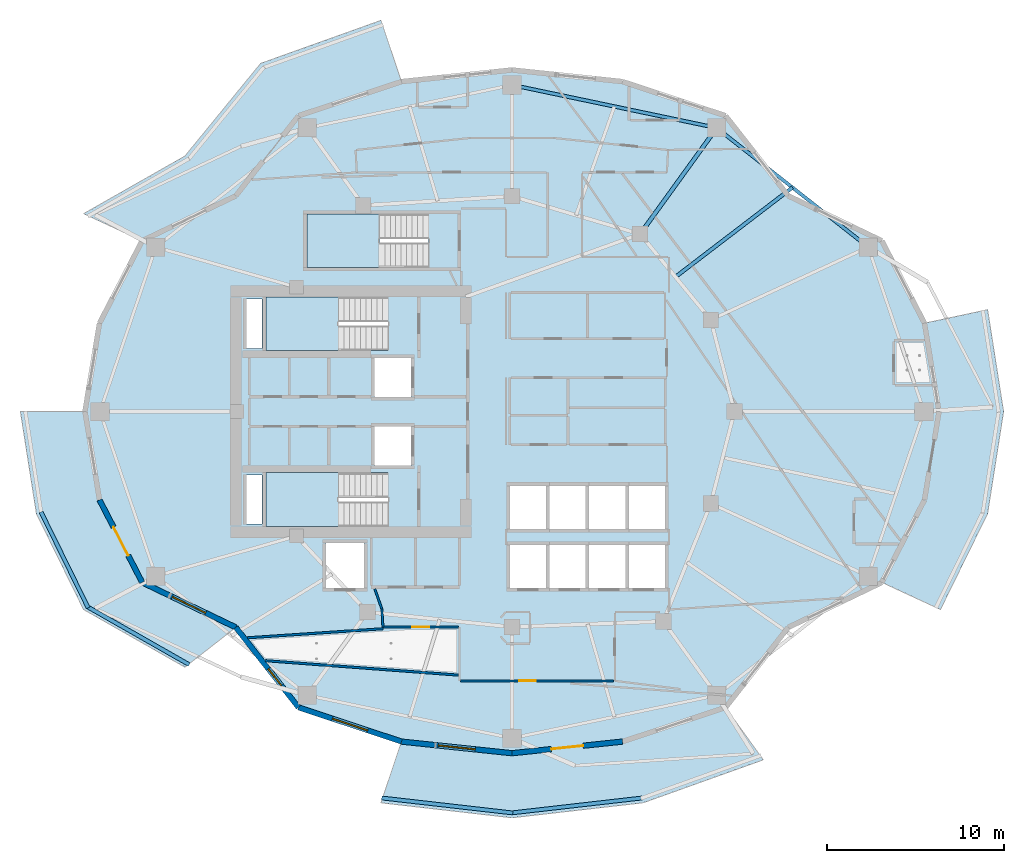
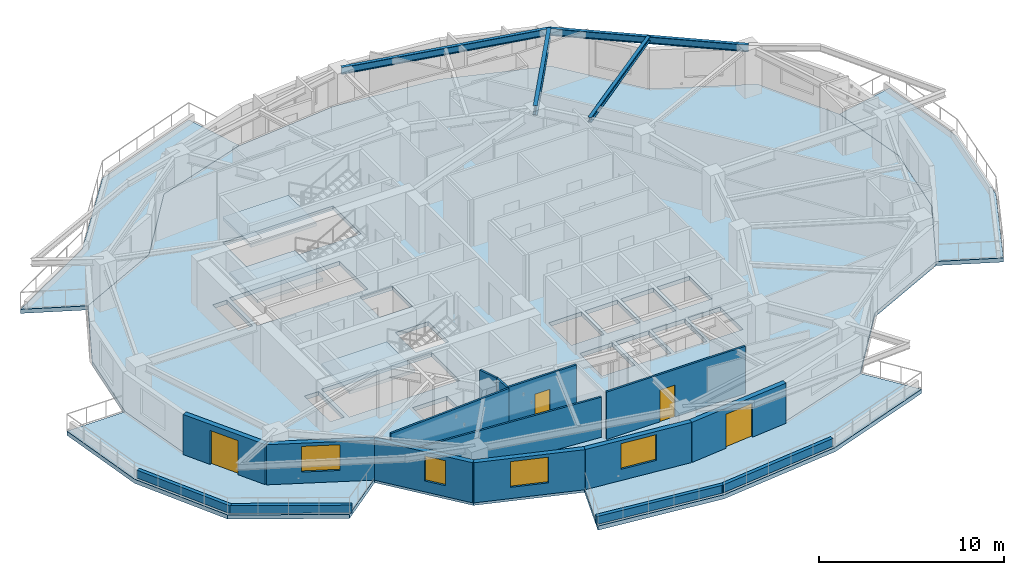
# One storey, part 2 of 17: 16 walls, 8 slabs, 4 beams, 4 doors, 4 windows, 8 openings, 3 elements without a shape of their own.
"""IFC4 building model written with IfcOpenShell, lengths in metres."""

from ifc_helpers import new_model, si_unit, direction, frame, frame_2d, origin, origin_2d, place, context, subcontext, project, spatial, polyline, rectangle, i_section, outline, extrude, material, layer, layer_set, material_profile, profile_set, type_object, element, fill, aggregate, save


model = new_model("IFC4")

# Units and contexts
model_context = context("Model", 3, precision=1e-05, world=origin(), true_north=direction((0.0, 1.0)))
body_context = subcontext(model_context, "Body", "Model", "MODEL_VIEW")
ifc_project = project(units=[si_unit("LENGTHUNIT", "METRE"), si_unit("AREAUNIT", "SQUARE_METRE"), si_unit("VOLUMEUNIT", "CUBIC_METRE"), si_unit("PLANEANGLEUNIT", "RADIAN"), si_unit("MASSUNIT", "GRAM", prefix="KILO")], contexts=[model_context])

# Site, building, storey
site_placement = place(None, origin())
site = spatial("IfcSite", under=ifc_project, at=site_placement, CompositionType="ELEMENT")
building_placement = place(site_placement, origin())
building = spatial("IfcBuilding", under=site, at=building_placement, Name="Kolvaren Gate Tower and Convention Centre", CompositionType="ELEMENT")
storey_placement = place(building_placement, frame((0.0, 0.0, 125.699951171875)))
storey = spatial("IfcBuildingStorey", under=building, at=storey_placement, Name="L31", CompositionType="ELEMENT", Elevation=125.699951171875)

# Beams
ifc_material_1 = material(Name="Structural steel ASTM A992 Grade 345 MPa", Category="steel")
ifc_material_profile_1 = material_profile(ifc_material_1, i_section(OverallWidth=0.22998046875, OverallDepth=0.616943359375, WebThickness=0.01318359375, FlangeThickness=0.022216796875, at=origin_2d()), Name="W610X140")
ifc_profile_set_1 = profile_set([ifc_material_profile_1], Name="Structural steel ASTM A992 Grade 345 MPa")
beam_type_1 = type_object("IfcBeamType", Name="STR-BM-W610X140", PredefinedType="BEAM", material=ifc_profile_set_1)
beam_1_placement = place(storey_placement, frame((37.381591796875, 37.054931640625, 2.821533203125), z_axis=(0.585208050015, 0.810883184064, 0.0), x_axis=(-0.810883184064, 0.585208050015, 0.0)))
element("IfcBeam", 1, at=beam_1_placement, inside=storey, type_object=beam_type_1, Name="Tower L31 Radial Floor Girder RB-03", PredefinedType="BEAM", context=body_context, shape_type="SweptSolid", body=[
    extrude(i_section(OverallWidth=0.22998046875, OverallDepth=0.616943359375, WebThickness=0.01318359375, FlangeThickness=0.022216796875, at=origin_2d()), origin(), (0.0, 0.0, 1.0), 7.416015625),
])
ifc_material_profile_2 = material_profile(ifc_material_1, i_section(OverallWidth=0.205078125, OverallDepth=0.31005859375, WebThickness=0.009521484375, FlangeThickness=0.016357421875, at=origin_2d()), Name="W310X74")
ifc_profile_set_2 = profile_set([ifc_material_profile_2], Name="Structural steel ASTM A992 Grade 345 MPa")
beam_type_2 = type_object("IfcBeamType", Name="STR-JS-W310X74", PredefinedType="JOIST", material=ifc_profile_set_2)
beam_2_placement = place(storey_placement, frame((39.3818359375, 34.627197265625, 2.97509765625), z_axis=(0.79454218325, 0.607208958297, 0.0), x_axis=(-0.607208958297, 0.79454218325, 0.0)))
element("IfcBeam", 2, at=beam_2_placement, inside=storey, type_object=beam_type_2, Name="Tower L31 Secondary Composite Floor Joist J-02.1", PredefinedType="JOIST", context=body_context, shape_type="SweptSolid", body=[
    extrude(i_section(OverallWidth=0.205078125, OverallDepth=0.31005859375, WebThickness=0.009521484375, FlangeThickness=0.016357421875, at=origin_2d()), origin(), (0.0, 0.0, 1.0), 8.34326171875),
])
ifc_material_profile_3 = material_profile(ifc_material_1, i_section(OverallWidth=0.194091796875, OverallDepth=0.468994140625, WebThickness=0.0126953125, FlangeThickness=0.0205078125, at=origin_2d()), Name="W460X106")
ifc_profile_set_3 = profile_set([ifc_material_profile_3], Name="Structural steel ASTM A992 Grade 345 MPa")
beam_type_3 = type_object("IfcBeamType", Name="STR-SP-W460X106", PredefinedType="SPANDREL", material=ifc_profile_set_3)
beam_3_placement = place(storey_placement, frame((50.30029296875, 36.318603515625, 2.8955078125), z_axis=(-0.785907610354, 0.618343939881, 0.0), x_axis=(-0.618343939881, -0.785907610354, 0.0)))
element("IfcBeam", 3, at=beam_3_placement, inside=storey, type_object=beam_type_3, Name="Tower L31 Perimeter Spandrel Beam SP-02", PredefinedType="SPANDREL", context=body_context, shape_type="SweptSolid", body=[
    extrude(i_section(OverallWidth=0.194091796875, OverallDepth=0.468994140625, WebThickness=0.0126953125, FlangeThickness=0.0205078125, at=origin_2d()), origin(), (0.0, 0.0, 1.0), 10.915771484375),
])
beam_4_placement = place(storey_placement, frame((41.721435546875, 43.068359375, 2.8955078125), z_axis=(-0.978714746947, 0.205225349578, 0.0), x_axis=(-0.205225349578, -0.978714746947, 0.0)))
element("IfcBeam", 4, at=beam_4_placement, inside=storey, type_object=beam_type_3, Name="Tower L31 Perimeter Spandrel Beam SP-03", PredefinedType="SPANDREL", context=body_context, shape_type="SweptSolid", body=[
    extrude(i_section(OverallWidth=0.194091796875, OverallDepth=0.468994140625, WebThickness=0.0126953125, FlangeThickness=0.0205078125, at=origin_2d()), origin(), (0.0, 0.0, 1.0), 11.8486328125),
])

# Slabs
ifc_material_2 = material(Name="Concrete C50/60", Category="concrete")
ifc_layer_1 = layer(ifc_material_2, 0.27001953125)
ifc_layer_set_1 = layer_set([ifc_layer_1], Name="Concrete C50/60")
slab_type_1 = type_object("IfcSlabType", Name="STR-SL-BALC-270", PredefinedType="FLOOR", material=ifc_layer_set_1)
slab_1_placement = place(storey_placement, frame((0.0, 0.0, -0.27001953125)))
element("IfcSlab", 5, at=slab_1_placement, inside=storey, type_object=slab_type_1, Name="Tower L31 Planted Balcony Terrace Slab 1 (North)", PredefinedType="FLOOR", context=body_context, shape_type="SweptSolid", body=[
    extrude(outline(polyline([(23.86474609375, 45.690673828125), (18.03125, 43.757568359375), (14.481201171875, 39.222900390625), (9.177978515625, 36.675048828125), (5.855224609375, 38.209716796875), (11.597412109375, 41.476318359375), (15.889404296875, 46.725341796875), (22.702392578125, 49.1611328125), (23.86474609375, 45.690673828125)])), origin(), (0.0, 0.0, 1.0), 0.27001953125),
])
slab_2_placement = place(storey_placement, frame((0.0, 0.0, -0.27001953125)))
element("IfcSlab", 6, at=slab_2_placement, inside=storey, type_object=slab_type_1, Name="Tower L31 Planted Balcony Terrace Slab 2 (West)", PredefinedType="FLOOR", context=body_context, shape_type="SweptSolid", body=[
    extrude(outline(polyline([(5.9375, 27.0), (6.76171875, 21.991943359375), (9.177978515625, 17.324951171875), (14.481201171875, 14.777099609375), (11.597412109375, 12.523681640625), (5.855224609375, 15.790283203125), (3.18310546875, 21.224853515625), (2.277587890625, 27.0), (5.9375, 27.0)])), origin(), (0.0, 0.0, 1.0), 0.27001953125),
])
slab_3_placement = place(storey_placement, frame((0.0, 0.0, -0.27001953125)))
element("IfcSlab", 7, at=slab_3_placement, inside=storey, type_object=slab_type_1, Name="Tower L31 Planted Balcony Terrace Slab 3 (South)", PredefinedType="FLOOR", context=body_context, shape_type="SweptSolid", body=[
    extrude(outline(polyline([(23.86474609375, 8.309326171875), (30.125, 7.64990234375), (36.38525390625, 8.309326171875), (42.21875, 10.242431640625), (44.360595703125, 7.274658203125), (37.547607421875, 4.8388671875), (30.125, 3.989990234375), (22.702392578125, 4.8388671875), (23.86474609375, 8.309326171875)])), origin(), (0.0, 0.0, 1.0), 0.27001953125),
])
slab_4_placement = place(storey_placement, frame((0.0, 0.0, -0.27001953125)))
element("IfcSlab", 8, at=slab_4_placement, inside=storey, type_object=slab_type_1, Name="Tower L31 Planted Balcony Terrace Slab 4 (East)", PredefinedType="FLOOR", context=body_context, shape_type="SweptSolid", body=[
    extrude(outline(polyline([(51.072021484375, 17.324951171875), (53.48828125, 21.991943359375), (54.3125, 27.0), (53.48828125, 32.008056640625), (57.06689453125, 32.775146484375), (57.972412109375, 27.0), (57.06689453125, 21.224853515625), (54.394775390625, 15.790283203125), (51.072021484375, 17.324951171875)])), origin(), (0.0, 0.0, 1.0), 0.27001953125),
])
ifc_material_3 = material(Name="Concrete C40/50", Category="concrete")
ifc_layer_2 = layer(ifc_material_3, 0.27001953125)
ifc_layer_set_2 = layer_set([ifc_layer_2], Name="Concrete C40/50")
slab_type_2 = type_object("IfcSlabType", Name="STR-SL-FLR-270", PredefinedType="FLOOR", material=ifc_layer_set_2)
slab_5_placement = place(storey_placement, frame((0.0, 0.0, -0.27001953125)))
element("IfcSlab", 9, at=slab_5_placement, inside=storey, type_object=slab_type_2, Name="Tower L31 Structural Floor Slab", PredefinedType="FLOOR", context=body_context, shape_type="SweptSolid", body=[
    extrude(outline(polyline([(54.3125, 27.0), (53.48828125, 32.008056640625), (51.072021484375, 36.675048828125), (45.768798828125, 39.222900390625), (42.21875, 43.757568359375), (36.38525390625, 45.690673828125), (30.125, 46.35009765625), (23.86474609375, 45.690673828125), (18.03125, 43.757568359375), (14.481201171875, 39.222900390625), (9.177978515625, 36.675048828125), (6.76171875, 32.008056640625), (5.9375, 27.0), (6.76171875, 21.991943359375), (9.177978515625, 17.324951171875), (14.481201171875, 14.777099609375), (18.03125, 10.242431640625), (23.86474609375, 8.309326171875), (30.125, 7.64990234375), (36.38525390625, 8.309326171875), (42.21875, 10.242431640625), (45.768798828125, 14.777099609375), (51.072021484375, 17.324951171875), (53.48828125, 21.991943359375), (54.3125, 27.0)]), holes=[polyline([(36.75, 17.0), (36.75, 19.449951171875), (38.800048828125, 19.449951171875), (38.800048828125, 17.0), (36.75, 17.0)]), polyline([(36.75, 20.35009765625), (36.75, 22.800048828125), (38.800048828125, 22.800048828125), (38.800048828125, 20.35009765625), (36.75, 20.35009765625)]), polyline([(34.5, 17.0), (34.5, 19.449951171875), (36.550048828125, 19.449951171875), (36.550048828125, 17.0), (34.5, 17.0)]), polyline([(34.5, 20.35009765625), (34.5, 22.800048828125), (36.550048828125, 22.800048828125), (36.550048828125, 20.35009765625), (34.5, 20.35009765625)]), polyline([(32.25, 17.0), (32.25, 19.449951171875), (34.300048828125, 19.449951171875), (34.300048828125, 17.0), (32.25, 17.0)]), polyline([(32.25, 20.35009765625), (32.25, 22.800048828125), (34.300048828125, 22.800048828125), (34.300048828125, 20.35009765625), (32.25, 20.35009765625)]), polyline([(30.0, 17.0), (30.0, 19.449951171875), (32.050048828125, 19.449951171875), (32.050048828125, 17.0), (30.0, 17.0)]), polyline([(30.0, 20.35009765625), (30.0, 22.800048828125), (32.050048828125, 22.800048828125), (32.050048828125, 20.35009765625), (30.0, 20.35009765625)]), polyline([(25.39990234375, 38.199951171875), (25.39990234375, 35.159912109375), (18.5, 35.159912109375), (18.5, 38.199951171875), (25.39990234375, 38.199951171875)]), polyline([(22.35009765625, 23.9599609375), (22.35009765625, 26.159912109375), (24.39990234375, 26.159912109375), (24.39990234375, 23.9599609375), (22.35009765625, 23.9599609375)]), polyline([(22.35009765625, 27.840087890625), (22.35009765625, 30.0400390625), (24.39990234375, 30.0400390625), (24.39990234375, 27.840087890625), (22.35009765625, 27.840087890625)]), polyline([(23.10009765625, 23.5400390625), (23.10009765625, 20.5), (16.199951171875, 20.5), (16.199951171875, 23.5400390625), (23.10009765625, 23.5400390625)]), polyline([(23.10009765625, 33.5), (23.10009765625, 30.4599609375), (16.199951171875, 30.4599609375), (16.199951171875, 33.5), (23.10009765625, 33.5)]), polyline([(19.60009765625, 17.0), (19.60009765625, 19.550048828125), (21.75, 19.550048828125), (21.75, 17.0), (19.60009765625, 17.0)]), polyline([(15.080078125, 20.6298828125), (15.080078125, 23.419921875), (15.969970703125, 23.419921875), (15.969970703125, 20.6298828125), (15.080078125, 20.6298828125)]), polyline([(15.080078125, 30.580078125), (15.080078125, 33.3701171875), (15.969970703125, 33.3701171875), (15.969970703125, 30.580078125), (15.080078125, 30.580078125)])]), origin(), (0.0, 0.0, 1.0), 0.27001953125),
])

# Stair, slab
stair_type = type_object("IfcStairType", Name="STR-STAIR-CORE", PredefinedType="HALF_TURN_STAIR", material=ifc_material_2)
stair_1_placement = place(storey_placement, origin())
stair_1 = element("IfcStair", 10, at=stair_1_placement, inside=storey, type_object=stair_type, Name="L31 Tower North Exit Stair ST-T1", PredefinedType="HALF_TURN_STAIR")
ifc_layer_3 = layer(ifc_material_2, 0.199951171875)
ifc_layer_set_3 = layer_set([ifc_layer_3], Name="Concrete C50/60")
slab_type_3 = type_object("IfcSlabType", Name="STR-SL-LAND-200", PredefinedType="LANDING", material=ifc_layer_set_3)
slab_6_placement = place(storey_placement, frame((0.0, 0.0, 1.5)))
slab_6 = element("IfcSlab", 11, at=slab_6_placement, type_object=slab_type_3, Name="ST-T1 landing 1", PredefinedType="LANDING", context=body_context, shape_type="SweptSolid", body=[
    extrude(outline(polyline([(20.31005859375, 33.5), (16.199951171875, 33.5), (16.199951171875, 30.4599609375), (20.31005859375, 30.4599609375), (20.31005859375, 33.5)])), origin(), (0.0, 0.0, 1.0), 0.199951171875),
])
aggregate(stair_1, [slab_6])

stair_2_placement = place(storey_placement, origin())
stair_2 = element("IfcStair", 12, at=stair_2_placement, inside=storey, type_object=stair_type, Name="L31 Tower South Exit Stair ST-T2", PredefinedType="HALF_TURN_STAIR")
slab_7_placement = place(storey_placement, frame((0.0, 0.0, 1.5)))
slab_7 = element("IfcSlab", 13, at=slab_7_placement, type_object=slab_type_3, Name="ST-T2 landing 1", PredefinedType="LANDING", context=body_context, shape_type="SweptSolid", body=[
    extrude(outline(polyline([(20.31005859375, 23.5400390625), (16.199951171875, 23.5400390625), (16.199951171875, 20.5), (20.31005859375, 20.5), (20.31005859375, 23.5400390625)])), origin(), (0.0, 0.0, 1.0), 0.199951171875),
])
aggregate(stair_2, [slab_7])

stair_3_placement = place(storey_placement, origin())
stair_3 = element("IfcStair", 14, at=stair_3_placement, inside=storey, type_object=stair_type, Name="L31 Tower Mid-Zone Exit Stair ST-T3", PredefinedType="HALF_TURN_STAIR")
slab_8_placement = place(storey_placement, frame((0.0, 0.0, 1.5)))
slab_8 = element("IfcSlab", 15, at=slab_8_placement, type_object=slab_type_3, Name="ST-T3 landing 1", PredefinedType="LANDING", context=body_context, shape_type="SweptSolid", body=[
    extrude(outline(polyline([(22.610107421875, 38.199951171875), (18.5, 38.199951171875), (18.5, 35.159912109375), (22.610107421875, 35.159912109375), (22.610107421875, 38.199951171875)])), origin(), (0.0, 0.0, 1.0), 0.199951171875),
])
aggregate(stair_3, [slab_8])

# Wall, opening, door
ifc_material_4 = material(Name="Fire-Rated Acoustic Gypsum Stud Partition", Category="gypsum")
ifc_layer_4 = layer(ifc_material_4, 0.1201171875)
ifc_layer_set_4 = layer_set([ifc_layer_4], Name="Fire-Rated Acoustic Gypsum Stud Partition")
wall_type_1 = type_object("IfcWallType", Name="ARCH-WL-PART-120", PredefinedType="PARTITIONING", material=ifc_layer_set_4)
wall_1_placement = place(storey_placement, frame((27.2119140625, 11.75, 0.0), z_axis=(0.0, 0.0, 1.0), x_axis=(1.0, 0.0, 0.0)))
wall_1 = element("IfcWall", 16, at=wall_1_placement, inside=storey, type_object=wall_type_1, Name="Interior Partition WL-L31-INT-034", PredefinedType="PARTITIONING", context=body_context, shape_type="SweptSolid", body=[
    extrude(rectangle(XDim=8.676025390625, YDim=0.1201171875, at=frame_2d((4.337890625, 0.0))), origin(), (0.0, 0.0, 1.0), 3.130126953125),
])
opening_1_placement = place(wall_1_placement, frame((3.32080078125, 0.0, 0.0)))
opening_1 = element("IfcOpeningElement", 17, at=opening_1_placement, cuts=wall_1, Name="Opening DR-01", PredefinedType="OPENING", context=body_context, shape_type="SweptSolid", body=[
    extrude(rectangle(XDim=0.949951171875, YDim=2.10009765625, at=frame_2d((0.47509765625, 1.050048828125))), frame((0.0, 0.070068359375, 0.0), z_axis=(0.0, -1.0, 0.0), x_axis=(1.0, 0.0, 0.0)), (0.0, 0.0, 1.0), 0.14013671875),
])
ifc_material_5 = material(Name="Painted Architectural Steelwork ASTM A500 Grade C 345 MPa", Category="steel")
door_type_1 = type_object("IfcDoorType", Name="ARCH-DR-RISER-950", OperationType="SINGLE_SWING_RIGHT", PredefinedType="DOOR", material=ifc_material_5)
door_1_placement = place(opening_1_placement, origin())
door_1 = element("IfcDoor", 18, at=door_1_placement, inside=storey, type_object=door_type_1, Name="Executive Seminar Conference Room Door", OperationType="SINGLE_SWING_LEFT", OverallHeight=2.10009765625, OverallWidth=0.949951171875, PredefinedType="DOOR", context=body_context, shape_type="SweptSolid", body=[
    extrude(rectangle(XDim=0.949951171875, YDim=2.10009765625, at=frame_2d((0.47509765625, 1.050048828125))), frame((0.0, 0.02490234375, 0.0), z_axis=(0.0, -1.0, 0.0), x_axis=(1.0, 0.0, 0.0)), (0.0, 0.0, 1.0), 0.050048828125),
])
fill(opening_1, door_1)

wall_2_placement = place(storey_placement, frame((22.81396484375, 14.800048828125, 0.0), z_axis=(0.0, 0.0, 1.0), x_axis=(1.0, 0.0, 0.0)))
wall_2 = element("IfcWall", 19, at=wall_2_placement, inside=storey, type_object=wall_type_1, Name="Interior Partition WL-L31-INT-035", PredefinedType="PARTITIONING", context=body_context, shape_type="SweptSolid", body=[
    extrude(rectangle(XDim=4.27392578125, YDim=0.1201171875, at=frame_2d((2.136962890625, 0.0))), origin(), (0.0, 0.0, 1.0), 3.130126953125),
])
opening_2_placement = place(wall_2_placement, frame((1.662109375, 0.0, 0.0)))
opening_2 = element("IfcOpeningElement", 20, at=opening_2_placement, cuts=wall_2, Name="Opening DR-01", PredefinedType="OPENING", context=body_context, shape_type="SweptSolid", body=[
    extrude(rectangle(XDim=0.949951171875, YDim=2.10009765625, at=frame_2d((0.47509765625, 1.050048828125))), frame((0.0, 0.070068359375, 0.0), z_axis=(0.0, -1.0, 0.0), x_axis=(1.0, 0.0, 0.0)), (0.0, 0.0, 1.0), 0.14013671875),
])
door_2_placement = place(opening_2_placement, origin())
door_2 = element("IfcDoor", 21, at=door_2_placement, inside=storey, type_object=door_type_1, Name="Executive Seminar Conference Room Door", OperationType="SINGLE_SWING_RIGHT", OverallHeight=2.10009765625, OverallWidth=0.949951171875, PredefinedType="DOOR", context=body_context, shape_type="SweptSolid", body=[
    extrude(rectangle(XDim=0.949951171875, YDim=2.10009765625, at=frame_2d((0.47509765625, 1.050048828125))), frame((0.0, 0.02490234375, 0.0), z_axis=(0.0, -1.0, 0.0), x_axis=(1.0, 0.0, 0.0)), (0.0, 0.0, 1.0), 0.050048828125),
])
fill(opening_2, door_2)

# Walls
wall_3_placement = place(storey_placement, frame((22.756103515625, 15.81103515625, 0.0), z_axis=(0.0, 0.0, 1.0), x_axis=(0.057139047697, -0.998366230012, 0.0)))
element("IfcWall", 22, at=wall_3_placement, inside=storey, type_object=wall_type_1, Name="Interior Partition WL-L31-INT-037", PredefinedType="PARTITIONING", context=body_context, shape_type="SweptSolid", body=[
    extrude(rectangle(XDim=1.0126953125, YDim=0.1201171875, at=frame_2d((0.50634765625, 0.0))), origin(), (0.0, 0.0, 1.0), 3.130126953125),
])
wall_4_placement = place(storey_placement, frame((22.353271484375, 16.9580078125, 0.0), z_axis=(0.0, 0.0, 1.0), x_axis=(0.331370038458, -0.943500873138, 0.0)))
element("IfcWall", 23, at=wall_4_placement, inside=storey, type_object=wall_type_1, Name="Interior Partition WL-L31-INT-038", PredefinedType="PARTITIONING", context=body_context, shape_type="SweptSolid", body=[
    extrude(rectangle(XDim=1.215576171875, YDim=0.1201171875, at=frame_2d((0.60791015625, 0.0))), origin(), (0.0, 0.0, 1.0), 3.130126953125),
])
wall_5_placement = place(storey_placement, frame((15.135498046875, 14.187744140625, 0.0), z_axis=(0.0, 0.0, 1.0), x_axis=(0.997761371355, 0.066874852018, 0.0)))
element("IfcWall", 24, at=wall_5_placement, inside=storey, type_object=wall_type_1, Name="Interior Partition WL-L31-INT-061", PredefinedType="PARTITIONING", context=body_context, shape_type="SweptSolid", body=[
    extrude(rectangle(XDim=7.69580078125, YDim=0.1201171875, at=frame_2d((3.847900390625, 0.0))), origin(), (0.0, 0.0, 1.0), 3.130126953125),
])
wall_6_placement = place(storey_placement, frame((16.15087890625, 12.890869140625, 0.0), z_axis=(0.0, 0.0, 1.0), x_axis=(0.997218948609, -0.074527636054, 0.0)))
element("IfcWall", 25, at=wall_6_placement, inside=storey, type_object=wall_type_1, Name="Interior Partition WL-L31-INT-063", PredefinedType="PARTITIONING", context=body_context, shape_type="SweptSolid", body=[
    extrude(rectangle(XDim=10.967529296875, YDim=0.1201171875, at=frame_2d((5.48388671875, 0.0))), origin(), (0.0, 0.0, 1.0), 2.653076171875),
])
ifc_material_6 = material(Name="Piedmont Cream Honed Limestone Cladding", Category="masonry")
ifc_layer_5 = layer(ifc_material_6, 0.219970703125)
ifc_layer_set_5 = layer_set([ifc_layer_5], Name="Piedmont Cream Honed Limestone Cladding")
wall_type_2 = type_object("IfcWallType", Name="ARCH-WL-PLANTER-220", PredefinedType="PARAPET", material=ifc_layer_set_5)
wall_7_placement = place(storey_placement, frame((3.44873046875, 21.31298828125, 0.0), z_axis=(0.0, 0.0, 1.0), x_axis=(0.441269631716, -0.897374566235, 0.0)))
element("IfcWall", 26, at=wall_7_placement, inside=storey, type_object=wall_type_2, Name="Vertical-Forest Balcony Stone Planter Kerb PK-L31-2.2", PredefinedType="PARAPET", context=body_context, shape_type="SweptSolid", body=[
    extrude(rectangle(XDim=6.05615234375, YDim=0.219970703125, at=frame_2d((3.028076171875, 0.0))), origin(), (0.0, 0.0, 1.0), 0.52001953125),
])
wall_8_placement = place(storey_placement, frame((6.095458984375, 15.934326171875, 0.0), z_axis=(0.0, 0.0, 1.0), x_axis=(0.869187658335, -0.494482370361, 0.0)))
element("IfcWall", 27, at=wall_8_placement, inside=storey, type_object=wall_type_2, Name="Vertical-Forest Balcony Stone Planter Kerb PK-L31-2.3", PredefinedType="PARAPET", context=body_context, shape_type="SweptSolid", body=[
    extrude(rectangle(XDim=6.606201171875, YDim=0.219970703125, at=frame_2d((3.30322265625, 0.0))), origin(), (0.0, 0.0, 1.0), 0.52001953125),
])
for number, where, z_axis, x_axis, name in (
    (28, (22.747802734375, 5.114990234375, 0.0), (0.0, 0.0, 1.0), (0.993527615836, -0.11359082961, 0.0), "Vertical-Forest Balcony Stone Planter Kerb PK-L31-3.1"),
    (29, (30.07958984375, 4.266357421875, 0.0), (0.0, 0.0, 1.0), (0.993527615836, 0.11359082961, 0.0), "Vertical-Forest Balcony Stone Planter Kerb PK-L31-3.2"),
):
    element("IfcWall", number, at=place(storey_placement, frame(where, z_axis=z_axis, x_axis=x_axis)), inside=storey, type_object=wall_type_2, Name=name, PredefinedType="PARAPET", context=body_context, shape_type="SweptSolid", body=[
        extrude(rectangle(XDim=7.470947265625, YDim=0.219970703125, at=frame_2d((3.7353515625, 0.0))), origin(), (0.0, 0.0, 1.0), 0.52001953125),
    ])

# Wall, opening, door
ifc_layer_6 = layer(ifc_material_6, 0.300048828125)
ifc_layer_set_6 = layer_set([ifc_layer_6], Name="Piedmont Cream Honed Limestone Cladding")
wall_type_3 = type_object("IfcWallType", Name="ARCH-WL-STONE-300", PredefinedType="SOLIDWALL", material=ifc_layer_set_6)
wall_9_placement = place(storey_placement, frame((6.76171875, 21.991943359375, 0.0), z_axis=(0.0, 0.0, 1.0), x_axis=(0.459767899643, -0.888039119892, 0.0)))
wall_9 = element("IfcWall", 30, at=wall_9_placement, inside=storey, type_object=wall_type_3, Name="Tower L31 Honed Stone Spandrel Wall EW-13", PredefinedType="SOLIDWALL", context=body_context, shape_type="SweptSolid", body=[
    extrude(rectangle(XDim=5.25537109375, YDim=0.300048828125, at=frame_2d((2.627685546875, 0.0))), origin(), (0.0, 0.0, 1.0), 2.653076171875),
])
opening_3_placement = place(wall_9_placement, frame((1.72802734375, 0.0, 0.0)))
opening_3 = element("IfcOpeningElement", 31, at=opening_3_placement, cuts=wall_9, Name="Opening DB-01", PredefinedType="OPENING", context=body_context, shape_type="SweptSolid", body=[
    extrude(rectangle(XDim=1.800048828125, YDim=2.25, at=frame_2d((0.89990234375, 1.125))), frame((0.0, 0.159912109375, 0.0), z_axis=(0.0, -1.0, 0.0), x_axis=(1.0, 0.0, 0.0)), (0.0, 0.0, 1.0), 0.320068359375),
])
ifc_material_7 = material(Name="Anodized Architectural Aluminium Alloy 6063-T6", Category="aluminium")
door_type_2 = type_object("IfcDoorType", Name="ARCH-DR-BALC-1800", OperationType="SLIDING_TO_LEFT", PredefinedType="DOOR", material=ifc_material_7)
door_3_placement = place(opening_3_placement, frame((1.800048828125, 0.0, 0.0), z_axis=(0.0, 0.0, 1.0), x_axis=(-1.0, 0.0, 0.0)))
door_3 = element("IfcDoor", 32, at=door_3_placement, inside=storey, type_object=door_type_2, Name="Planted Sky Terrace Access Door DB-L31-13", OperationType="SLIDING_TO_LEFT", OverallHeight=2.25, OverallWidth=1.800048828125, PredefinedType="DOOR", context=body_context, shape_type="SweptSolid", body=[
    extrude(rectangle(XDim=1.800048828125, YDim=2.25, at=frame_2d((0.89990234375, 1.125))), frame((0.0, 0.02490234375, 0.0), z_axis=(0.0, -1.0, 0.0), x_axis=(1.0, 0.0, 0.0)), (0.0, 0.0, 1.0), 0.050048828125),
])
fill(opening_3, door_3)

# Wall, opening, window
wall_10_placement = place(storey_placement, frame((9.177978515625, 17.324951171875, 0.0), z_axis=(0.0, 0.0, 1.0), x_axis=(0.901370184739, -0.433049408339, 0.0)))
wall_10 = element("IfcWall", 33, at=wall_10_placement, inside=storey, type_object=wall_type_3, Name="Tower L31 Honed Stone Spandrel Wall EW-14", PredefinedType="SOLIDWALL", context=body_context, shape_type="SweptSolid", body=[
    extrude(rectangle(XDim=5.883544921875, YDim=0.300048828125, at=frame_2d((2.94189453125, 0.0))), origin(), (0.0, 0.0, 1.0), 2.653076171875),
])
opening_4_placement = place(wall_10_placement, frame((1.89208984375, 0.0, 0.739990234375)))
opening_4 = element("IfcOpeningElement", 34, at=opening_4_placement, cuts=wall_10, Name="Opening W-02", PredefinedType="OPENING", context=body_context, shape_type="SweptSolid", body=[
    extrude(rectangle(XDim=2.10009765625, YDim=1.699951171875, at=frame_2d((1.050048828125, 0.85009765625))), frame((0.0, 0.159912109375, 0.0), z_axis=(0.0, -1.0, 0.0), x_axis=(1.0, 0.0, 0.0)), (0.0, 0.0, 1.0), 0.320068359375),
])
ifc_material_8 = material(Name="Low-E Triple Insulated Glazing Unit 44 mm", Category="glass")
window_type_1 = type_object("IfcWindowType", Name="ARCH-WN-HTL-2100", PartitioningType="SINGLE_PANEL", PredefinedType="WINDOW", material=ifc_material_8)
window_1_placement = place(opening_4_placement, origin())
window_1 = element("IfcWindow", 35, at=window_1_placement, inside=storey, type_object=window_type_1, Name="Tower L31 Punched Stone Facade Window W-14", OverallHeight=1.699951171875, OverallWidth=2.10009765625, PartitioningType="SINGLE_PANEL", PredefinedType="WINDOW", context=body_context, shape_type="SweptSolid", body=[
    extrude(rectangle(XDim=2.10009765625, YDim=1.699951171875, at=frame_2d((1.050048828125, 0.85009765625))), frame((0.0, 0.030029296875, 0.0), z_axis=(0.0, -1.0, 0.0), x_axis=(1.0, 0.0, 0.0)), (0.0, 0.0, 1.0), 0.06005859375),
])
fill(opening_4, window_1)

wall_11_placement = place(storey_placement, frame((14.481201171875, 14.777099609375, 0.0), z_axis=(0.0, 0.0, 1.0), x_axis=(0.616435134162, -0.787405693001, 0.0)))
wall_11 = element("IfcWall", 36, at=wall_11_placement, inside=storey, type_object=wall_type_3, Name="Tower L31 Honed Stone Spandrel Wall EW-15", PredefinedType="SOLIDWALL", context=body_context, shape_type="SweptSolid", body=[
    extrude(rectangle(XDim=5.759033203125, YDim=0.300048828125, at=frame_2d((2.87939453125, 0.0))), origin(), (0.0, 0.0, 1.0), 2.653076171875),
])
opening_5_placement = place(wall_11_placement, frame((2.97998046875, 0.0, 0.719970703125)))
opening_5 = element("IfcOpeningElement", 37, at=opening_5_placement, cuts=wall_11, Name="Opening W-04", PredefinedType="OPENING", context=body_context, shape_type="SweptSolid", body=[
    extrude(rectangle(XDim=1.199951171875, YDim=1.64990234375, at=frame_2d((0.60009765625, 0.824951171875))), frame((0.0, 0.159912109375, 0.0), z_axis=(0.0, -1.0, 0.0), x_axis=(1.0, 0.0, 0.0)), (0.0, 0.0, 1.0), 0.320068359375),
])
window_type_2 = type_object("IfcWindowType", Name="ARCH-WN-NARROW-1200", PartitioningType="SINGLE_PANEL", PredefinedType="WINDOW", material=ifc_material_8)
window_2_placement = place(opening_5_placement, origin())
window_2 = element("IfcWindow", 38, at=window_2_placement, inside=storey, type_object=window_type_2, Name="Tower L31 Punched Stone Facade Window W-15", OverallHeight=1.64990234375, OverallWidth=1.199951171875, PartitioningType="SINGLE_PANEL", PredefinedType="WINDOW", context=body_context, shape_type="SweptSolid", body=[
    extrude(rectangle(XDim=1.199951171875, YDim=1.64990234375, at=frame_2d((0.60009765625, 0.824951171875))), frame((0.0, 0.030029296875, 0.0), z_axis=(0.0, -1.0, 0.0), x_axis=(1.0, 0.0, 0.0)), (0.0, 0.0, 1.0), 0.06005859375),
])
fill(opening_5, window_2)

wall_12_placement = place(storey_placement, frame((18.03125, 10.242431640625, 0.0), z_axis=(0.0, 0.0, 1.0), x_axis=(0.949238009374, -0.314558741032, 0.0)))
wall_12 = element("IfcWall", 39, at=wall_12_placement, inside=storey, type_object=wall_type_3, Name="Tower L31 Honed Stone Spandrel Wall EW-16", PredefinedType="SOLIDWALL", context=body_context, shape_type="SweptSolid", body=[
    extrude(rectangle(XDim=6.1455078125, YDim=0.300048828125, at=frame_2d((3.07275390625, 0.0))), origin(), (0.0, 0.0, 1.0), 2.653076171875),
])
opening_6_placement = place(wall_12_placement, frame((2.02294921875, 0.0, 0.739990234375)))
opening_6 = element("IfcOpeningElement", 40, at=opening_6_placement, cuts=wall_12, Name="Opening W-02", PredefinedType="OPENING", context=body_context, shape_type="SweptSolid", body=[
    extrude(rectangle(XDim=2.10009765625, YDim=1.699951171875, at=frame_2d((1.050048828125, 0.85009765625))), frame((0.0, 0.159912109375, 0.0), z_axis=(0.0, -1.0, 0.0), x_axis=(1.0, 0.0, 0.0)), (0.0, 0.0, 1.0), 0.320068359375),
])
window_3_placement = place(opening_6_placement, origin())
window_3 = element("IfcWindow", 41, at=window_3_placement, inside=storey, type_object=window_type_1, Name="Tower L31 Punched Stone Facade Window W-16", OverallHeight=1.699951171875, OverallWidth=2.10009765625, PartitioningType="SINGLE_PANEL", PredefinedType="WINDOW", context=body_context, shape_type="SweptSolid", body=[
    extrude(rectangle(XDim=2.10009765625, YDim=1.699951171875, at=frame_2d((1.050048828125, 0.85009765625))), frame((0.0, 0.030029296875, 0.0), z_axis=(0.0, -1.0, 0.0), x_axis=(1.0, 0.0, 0.0)), (0.0, 0.0, 1.0), 0.06005859375),
])
fill(opening_6, window_3)

wall_13_placement = place(storey_placement, frame((23.86474609375, 8.309326171875, 0.0), z_axis=(0.0, 0.0, 1.0), x_axis=(0.994498012394, -0.104755445421, 0.0)))
wall_13 = element("IfcWall", 42, at=wall_13_placement, inside=storey, type_object=wall_type_3, Name="Tower L31 Honed Stone Spandrel Wall EW-17", PredefinedType="SOLIDWALL", context=body_context, shape_type="SweptSolid", body=[
    extrude(rectangle(XDim=6.294921875, YDim=0.300048828125, at=frame_2d((3.1474609375, 0.0))), origin(), (0.0, 0.0, 1.0), 2.653076171875),
])
opening_7_placement = place(wall_13_placement, frame((2.096923828125, 0.0, 0.739990234375)))
opening_7 = element("IfcOpeningElement", 43, at=opening_7_placement, cuts=wall_13, Name="Opening W-02", PredefinedType="OPENING", context=body_context, shape_type="SweptSolid", body=[
    extrude(rectangle(XDim=2.10009765625, YDim=1.699951171875, at=frame_2d((1.050048828125, 0.85009765625))), frame((0.0, 0.159912109375, 0.0), z_axis=(0.0, -1.0, 0.0), x_axis=(1.0, 0.0, 0.0)), (0.0, 0.0, 1.0), 0.320068359375),
])
window_4_placement = place(opening_7_placement, origin())
window_4 = element("IfcWindow", 44, at=window_4_placement, inside=storey, type_object=window_type_1, Name="Tower L31 Punched Stone Facade Window W-17", OverallHeight=1.699951171875, OverallWidth=2.10009765625, PartitioningType="SINGLE_PANEL", PredefinedType="WINDOW", context=body_context, shape_type="SweptSolid", body=[
    extrude(rectangle(XDim=2.10009765625, YDim=1.699951171875, at=frame_2d((1.050048828125, 0.85009765625))), frame((0.0, 0.030029296875, 0.0), z_axis=(0.0, -1.0, 0.0), x_axis=(1.0, 0.0, 0.0)), (0.0, 0.0, 1.0), 0.06005859375),
])
fill(opening_7, window_4)

# Wall, opening, door
wall_14_placement = place(storey_placement, frame((30.125, 7.64990234375, 0.0), z_axis=(0.0, 0.0, 1.0), x_axis=(0.994498012394, 0.104755445421, 0.0)))
wall_14 = element("IfcWall", 45, at=wall_14_placement, inside=storey, type_object=wall_type_3, Name="Tower L31 Honed Stone Spandrel Wall EW-18", PredefinedType="SOLIDWALL", context=body_context, shape_type="SweptSolid", body=[
    extrude(rectangle(XDim=6.294921875, YDim=0.300048828125, at=frame_2d((3.1474609375, 0.0))), origin(), (0.0, 0.0, 1.0), 2.653076171875),
])
opening_8_placement = place(wall_14_placement, frame((2.2470703125, 0.0, 0.0)))
opening_8 = element("IfcOpeningElement", 46, at=opening_8_placement, cuts=wall_14, Name="Opening DB-01", PredefinedType="OPENING", context=body_context, shape_type="SweptSolid", body=[
    extrude(rectangle(XDim=1.800048828125, YDim=2.25, at=frame_2d((0.89990234375, 1.125))), frame((0.0, 0.159912109375, 0.0), z_axis=(0.0, -1.0, 0.0), x_axis=(1.0, 0.0, 0.0)), (0.0, 0.0, 1.0), 0.320068359375),
])
door_4_placement = place(opening_8_placement, frame((1.800048828125, 0.0, 0.0), z_axis=(0.0, 0.0, 1.0), x_axis=(-1.0, 0.0, 0.0)))
door_4 = element("IfcDoor", 47, at=door_4_placement, inside=storey, type_object=door_type_2, Name="Planted Sky Terrace Access Door DB-L31-18", OperationType="SLIDING_TO_LEFT", OverallHeight=2.25, OverallWidth=1.800048828125, PredefinedType="DOOR", context=body_context, shape_type="SweptSolid", body=[
    extrude(rectangle(XDim=1.800048828125, YDim=2.25, at=frame_2d((0.89990234375, 1.125))), frame((0.0, 0.02490234375, 0.0), z_axis=(0.0, -1.0, 0.0), x_axis=(1.0, 0.0, 0.0)), (0.0, 0.0, 1.0), 0.050048828125),
])
fill(opening_8, door_4)

save(model, "model.ifc")
